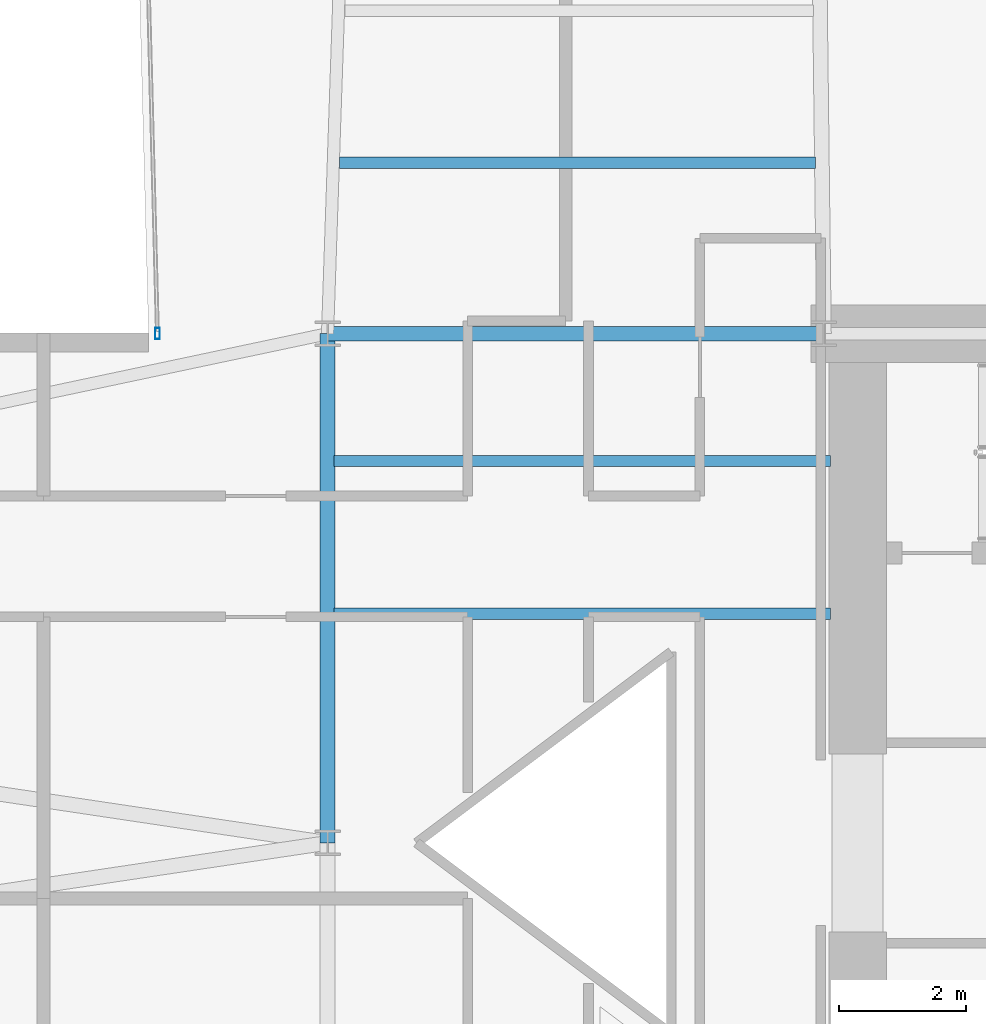
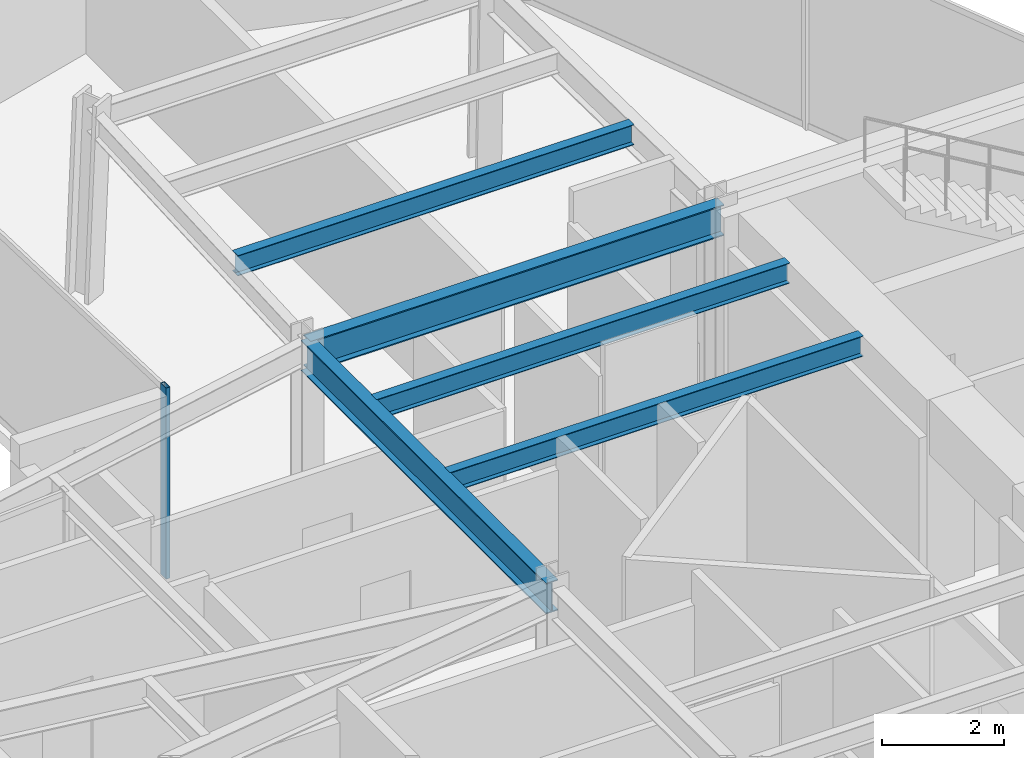
# One storey, part 13 of 31: 5 beams, 1 member, 1 element without a shape of its own.
"""IFC4 building model written with IfcOpenShell, lengths in metres."""

from ifc_helpers import new_model, si_unit, direction, frame, origin, origin_2d, place, context, subcontext, project, spatial, hollow_rectangle, i_section, extrude, material, layer, layer_set, material_profile, profile_set, type_object, element, aggregate, save


model = new_model("IFC4")

# Units and contexts
model_context = context("Model", 3, precision=1e-05, world=origin(), true_north=direction((0.0, 1.0)))
body_context = subcontext(model_context, "Body", "Model", "MODEL_VIEW")
ifc_project = project(units=[si_unit("LENGTHUNIT", "METRE"), si_unit("AREAUNIT", "SQUARE_METRE"), si_unit("VOLUMEUNIT", "CUBIC_METRE"), si_unit("PLANEANGLEUNIT", "RADIAN"), si_unit("MASSUNIT", "GRAM", prefix="KILO")], contexts=[model_context])

# Site, building, storey
site_placement = place(None, origin())
site = spatial("IfcSite", under=ifc_project, at=site_placement, CompositionType="ELEMENT")
building_placement = place(site_placement, origin())
building = spatial("IfcBuilding", under=site, at=building_placement, Name="Veymaron Broadcast Tower", CompositionType="ELEMENT")
storey_placement = place(building_placement, frame((0.0, 0.0, 70.199951171875)))
storey = spatial("IfcBuildingStorey", under=building, at=storey_placement, Name="L15", CompositionType="ELEMENT", Elevation=70.199951171875)

# Beams
ifc_material_1 = material(Name="Structural steel ASTM A992 Gr 50", Category="steel")
ifc_material_profile_1 = material_profile(ifc_material_1, i_section(OverallWidth=0.22998046875, OverallDepth=0.616943359375, WebThickness=0.01318359375, FlangeThickness=0.022216796875, at=origin_2d()), Name="W610X140")
ifc_profile_set_1 = profile_set([ifc_material_profile_1], Name="Structural steel ASTM A992 Gr 50")
beam_type_1 = type_object("IfcBeamType", Name="BM-FG1", PredefinedType="BEAM", material=ifc_profile_set_1)
beam_1_placement = place(storey_placement, frame((31.199951171875, 24.0, 3.50146484375), z_axis=(0.0, 1.0, 0.0), x_axis=(-1.0, 0.0, 0.0)))
element("IfcBeam", 1, at=beam_1_placement, inside=storey, type_object=beam_type_1, Name="L15 primary structural floor girder", PredefinedType="BEAM", context=body_context, shape_type="SweptSolid", body=[
    extrude(i_section(OverallWidth=0.22998046875, OverallDepth=0.616943359375, WebThickness=0.01318359375, FlangeThickness=0.022216796875, at=origin_2d()), origin(), (0.0, 0.0, 1.0), 8.0),
])
beam_2_placement = place(storey_placement, frame((31.199951171875, 32.0, 3.50146484375), z_axis=(1.0, 0.0, 0.0), x_axis=(0.0, 1.0, 0.0)))
element("IfcBeam", 2, at=beam_2_placement, inside=storey, type_object=beam_type_1, Name="L15 primary structural floor girder", PredefinedType="BEAM", context=body_context, shape_type="SweptSolid", body=[
    extrude(i_section(OverallWidth=0.22998046875, OverallDepth=0.616943359375, WebThickness=0.01318359375, FlangeThickness=0.022216796875, at=origin_2d()), origin(), (0.0, 0.0, 1.0), 7.800048828125),
])
ifc_material_profile_2 = material_profile(ifc_material_1, i_section(OverallWidth=0.177978515625, OverallDepth=0.406982421875, WebThickness=0.0078125, FlangeThickness=0.0126953125, at=origin_2d()), Name="W410X60")
ifc_profile_set_2 = profile_set([ifc_material_profile_2], Name="Structural steel ASTM A992 Gr 50")
beam_type_2 = type_object("IfcBeamType", Name="BM-JS1", PredefinedType="JOIST", material=ifc_profile_set_2)
beam_3_placement = place(storey_placement, frame((31.390625, 34.685546875, 3.6064453125), z_axis=(1.0, 0.0, 0.0), x_axis=(0.0, 1.0, 0.0)))
element("IfcBeam", 3, at=beam_3_placement, inside=storey, type_object=beam_type_2, Name="L15 Arm-B secondary joist 1", PredefinedType="JOIST", context=body_context, shape_type="SweptSolid", body=[
    extrude(i_section(OverallWidth=0.177978515625, OverallDepth=0.406982421875, WebThickness=0.0078125, FlangeThickness=0.0126953125, at=origin_2d()), origin(), (0.0, 0.0, 1.0), 7.47705078125),
])
for number, where, z_axis, x_axis, name in (
    (4, (31.300048828125, 27.60009765625, 3.6064453125), (1.0, 0.0, 0.0), (0.0, 1.0, 0.0), "L15 Hub secondary joist 3"),
    (5, (31.300048828125, 30.0, 3.6064453125), (1.0, 0.0, 0.0), (0.0, 1.0, 0.0), "L15 Hub secondary joist 4"),
):
    element("IfcBeam", number, at=place(storey_placement, frame(where, z_axis=z_axis, x_axis=x_axis)), inside=storey, type_object=beam_type_2, Name=name, PredefinedType="JOIST", context=body_context, shape_type="SweptSolid", body=[
        extrude(i_section(OverallWidth=0.177978515625, OverallDepth=0.406982421875, WebThickness=0.0078125, FlangeThickness=0.0126953125, at=origin_2d()), origin(), (0.0, 0.0, 1.0), 7.800048828125),
    ])

# Curtain wall, member
ifc_material_2 = material(Name="Anodised aluminium AA 6063-T6 and laminated low-E dark glass", Category="aluminium")
ifc_layer = layer(ifc_material_2, 0.179931640625)
ifc_layer_set = layer_set([ifc_layer], Name="Anodised aluminium AA 6063-T6 and laminated low-E dark glass")
curtain_wall_type = type_object("IfcCurtainWallType", Name="CW-SYS-02", PredefinedType="NOTDEFINED", material=ifc_layer_set)
curtain_wall_placement = place(storey_placement, origin())
curtain_wall = element("IfcCurtainWall", 6, at=curtain_wall_placement, inside=storey, type_object=curtain_wall_type, Name="L15 dark-glass curtain wall CW-L15-E8-1", PredefinedType="NOTDEFINED")
ifc_material_3 = material(Name="Anodised aluminium AA 6063-T6", Category="aluminium")
ifc_material_profile_3 = material_profile(ifc_material_3, hollow_rectangle(XDim=0.074951171875, YDim=0.179931640625, WallThickness=0.0048828125, at=origin_2d()), Name="AL180X75X5")
ifc_profile_set_3 = profile_set([ifc_material_profile_3], Name="Anodised aluminium AA 6063-T6")
member_type = type_object("IfcMemberType", Name="CW-MUL-02", PredefinedType="MULLION", material=ifc_profile_set_3)
member_placement = place(storey_placement, frame((28.527099609375, 32.003662109375, 0.0), z_axis=(0.0, 0.0, 1.0), x_axis=(1.0, 0.0, 0.0)))
member = element("IfcMember", 7, at=member_placement, type_object=member_type, Name="CW-L15-E8-1 mullion 2", PredefinedType="MULLION", context=body_context, shape_type="SweptSolid", body=[
    extrude(hollow_rectangle(XDim=0.074951171875, YDim=0.179931640625, WallThickness=0.0048828125, at=origin_2d()), origin(), (0.0, 0.0, 1.0), 3.81005859375),
])
aggregate(curtain_wall, [member])

save(model, "model.ifc")
